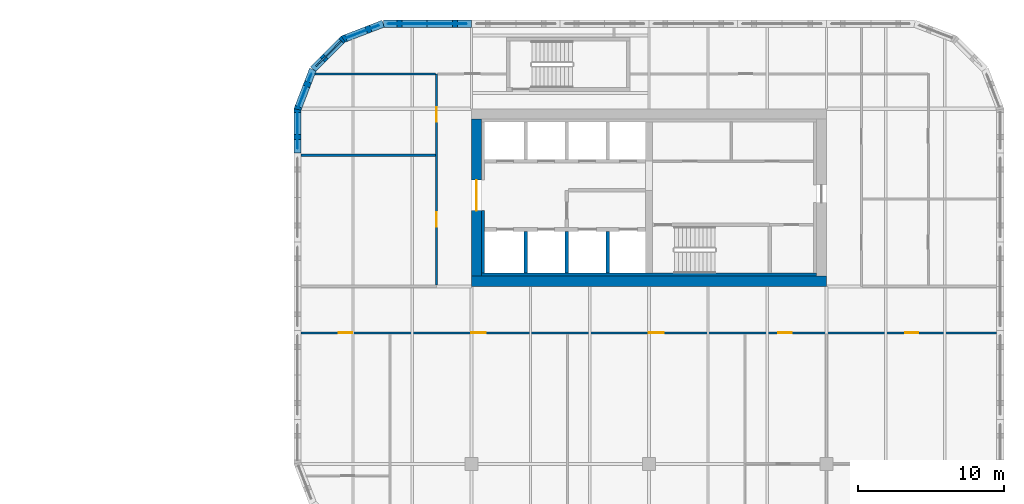
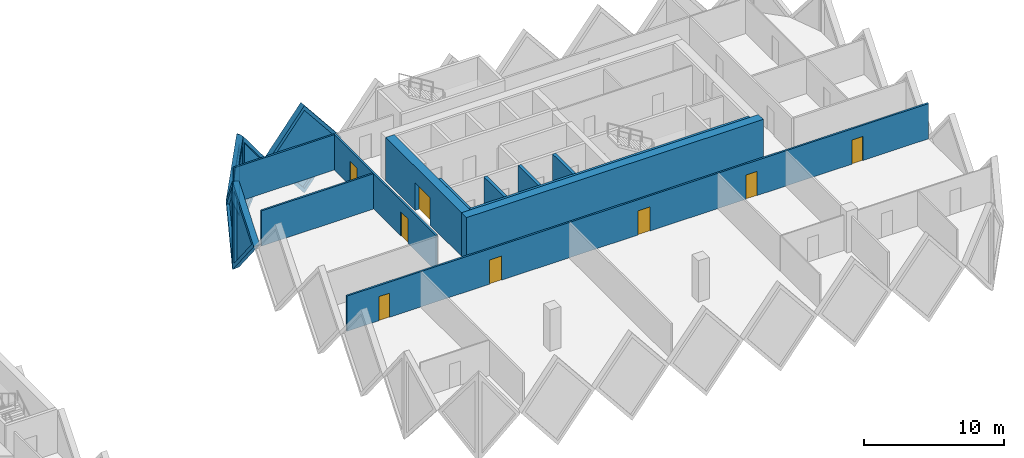
# One storey, part 12 of 18: 16 walls, 8 doors, 5 plates, 13 openings.
"""IFC4 building model written with IfcOpenShell, lengths in metres."""

from ifc_helpers import new_model, si_unit, direction, frame, frame_2d, origin, place, context, subcontext, project, spatial, polyline, rectangle, outline, extrude, faceted_brep, source, transform, mapped, material, layer, layer_set, type_object, element, fill, save


model = new_model("IFC4")

# Units and contexts
model_context = context("Model", 3, precision=1e-05, world=origin(), true_north=direction((0.0, 1.0)))
body_context = subcontext(model_context, "Body", "Model", "MODEL_VIEW")
ifc_project = project(units=[si_unit("LENGTHUNIT", "METRE"), si_unit("AREAUNIT", "SQUARE_METRE"), si_unit("VOLUMEUNIT", "CUBIC_METRE"), si_unit("PLANEANGLEUNIT", "RADIAN"), si_unit("MASSUNIT", "GRAM", prefix="KILO")], contexts=[model_context])

# Site, building, storey
site_placement = place(None, origin())
site = spatial("IfcSite", under=ifc_project, at=site_placement, CompositionType="ELEMENT")
building_placement = place(site_placement, origin())
building = spatial("IfcBuilding", under=site, at=building_placement, Name="Tessera Gate Towers", CompositionType="ELEMENT")
storey_placement = place(building_placement, frame((0.0, 0.0, 44.800048828125)))
storey = spatial("IfcBuildingStorey", under=building, at=storey_placement, Name="L10", CompositionType="ELEMENT", Elevation=44.800048828125)

# Walls
ifc_material_1 = material(Name="Concrete C40/50", Category="concrete")
ifc_layer_1 = layer(ifc_material_1, 0.25)
ifc_layer_set_1 = layer_set([ifc_layer_1], Name="CORE ENCLOSURE WALL 250")
wall_type_1 = type_object("IfcWallType", Name="CORE ENCLOSURE WALL 250", PredefinedType="SOLIDWALL", material=ifc_layer_set_1)
for number, where, z_axis, x_axis, name in (
    (1, (104.14990234375, 37.5, 0.0), (0.0, 0.0, 1.0), (0.0, 1.0, 0.0), "L10 shaft and stair enclosure wall"),
    (2, (101.324951171875, 37.5, 0.0), (0.0, 0.0, 1.0), (0.0, 1.0, 0.0), "L10 shaft and stair enclosure wall"),
    (3, (106.97509765625, 37.5, 0.0), (0.0, 0.0, 1.0), (0.0, 1.0, 0.0), "L10 shaft and stair enclosure wall"),
):
    element("IfcWall", number, at=place(storey_placement, frame(where, z_axis=z_axis, x_axis=x_axis)), inside=storey, type_object=wall_type_1, Name=name, PredefinedType="SOLIDWALL", context=body_context, shape_type="SweptSolid", body=[
        extrude(rectangle(XDim=2.875, YDim=0.25, at=frame_2d((1.4375, 0.0))), origin(), (0.0, 0.0, 1.0), 3.800048828125),
    ])
ifc_material_2 = material(Name="Concrete C60/75", Category="concrete")
ifc_layer_2 = layer(ifc_material_2, 0.699951171875)
ifc_layer_set_2 = layer_set([ifc_layer_2], Name="CORE SHEAR WALL 700 C60/75")
wall_type_2 = type_object("IfcWallType", Name="CORE SHEAR WALL 700 C60/75", PredefinedType="SHEAR", material=ifc_layer_set_2)
wall_1_placement = place(storey_placement, frame((122.0, 36.949951171875, 0.0), z_axis=(0.0, 0.0, 1.0), x_axis=(-1.0, 0.0, 0.0)))
element("IfcWall", 4, at=wall_1_placement, inside=storey, type_object=wall_type_2, Name="Core wall S L10", PredefinedType="SHEAR", context=body_context, shape_type="SweptSolid", body=[
    extrude(rectangle(XDim=24.39990234375, YDim=0.699951171875, at=frame_2d((12.199951171875, 0.0))), origin(), (0.0, 0.0, 1.0), 3.800048828125),
])

# Wall, opening, door
wall_2_placement = place(storey_placement, frame((97.949951171875, 37.300048828125, 0.0), z_axis=(0.0, 0.0, 1.0), x_axis=(0.0, 1.0, 0.0)))
wall_2 = element("IfcWall", 5, at=wall_2_placement, inside=storey, type_object=wall_type_2, Name="Core wall W L10", PredefinedType="SHEAR", context=body_context, shape_type="SweptSolid", body=[
    extrude(rectangle(XDim=10.800048828125, YDim=0.699951171875, at=frame_2d((5.39990234375, 0.0))), origin(), (0.0, 0.0, 1.0), 3.800048828125),
])
shared_shape_1 = source(origin(), body_context, "Body", "SweptSolid", [
    extrude(rectangle(XDim=2.10009765625, YDim=2.39990234375, at=frame_2d((1.050048828125, 1.199951171875))), frame((0.0, 0.35986328125, 0.0), z_axis=(0.0, -1.0, 0.0), x_axis=(1.0, 0.0, 0.0)), (0.0, 0.0, 1.0), 0.719970703125),
])
opening_1_placement = place(wall_2_placement, frame((4.5, 0.0, 0.0)))
opening_1 = element("IfcOpeningElement", 6, at=opening_1_placement, cuts=wall_2, Name="Opening DD-T2-04-01", PredefinedType="OPENING", context=body_context, shape_type="MappedRepresentation", body=[
    mapped(shared_shape_1, transform((0.0, 0.0, 0.0), scale=1.0)),
])
ifc_material_3 = material(Name="Hollow steel fire door", Category="steel")
door_type_1 = type_object("IfcDoorType", Name="CORE DOOR DD 2100x2400", OperationType="NOTDEFINED", PredefinedType="DOOR", material=ifc_material_3)
shared_shape_2 = source(origin(), body_context, "Body", "SweptSolid", [
    extrude(rectangle(XDim=2.10009765625, YDim=2.39990234375, at=frame_2d((1.050048828125, 1.199951171875))), frame((0.0, 0.02490234375, 0.0), z_axis=(0.0, -1.0, 0.0), x_axis=(1.0, 0.0, 0.0)), (0.0, 0.0, 1.0), 0.050048828125),
])
door_1_placement = place(opening_1_placement, origin())
door_1 = element("IfcDoor", 7, at=door_1_placement, inside=storey, type_object=door_type_1, Name="Core entrance door", OperationType="DOUBLE_DOOR_SINGLE_SWING", OverallHeight=2.39990234375, OverallWidth=2.10009765625, PredefinedType="DOOR", context=body_context, shape_type="MappedRepresentation", body=[
    mapped(shared_shape_2, transform((0.0, 0.0, 0.0), scale=1.0)),
])
fill(opening_1, door_1)

# Walls
ifc_material_4 = material(Name="Concrete C60/75", Category="concrete")
ifc_layer_3 = layer(ifc_material_4, 0.199951171875)
ifc_layer_set_3 = layer_set([ifc_layer_3], Name="CORE WALL THICKENING 200")
wall_type_3 = type_object("IfcWallType", Name="CORE WALL THICKENING 200", PredefinedType="SOLIDWALL", material=ifc_layer_set_3)
wall_3_placement = place(storey_placement, frame((98.300048828125, 37.39990234375, 0.0), z_axis=(0.0, 0.0, 1.0), x_axis=(1.0, 0.0, 0.0)))
element("IfcWall", 8, at=wall_3_placement, inside=storey, type_object=wall_type_3, Name="Core wall thickening S L10", PredefinedType="SOLIDWALL", context=body_context, shape_type="SweptSolid", body=[
    extrude(rectangle(XDim=23.0, YDim=0.199951171875, at=frame_2d((11.5, 0.0))), origin(), (0.0, 0.0, 1.0), 3.800048828125),
])
wall_4_placement = place(storey_placement, frame((98.39990234375, 37.5, 0.0), z_axis=(0.0, 0.0, 1.0), x_axis=(0.0, 1.0, 0.0)))
element("IfcWall", 9, at=wall_4_placement, inside=storey, type_object=wall_type_3, Name="Core wall thickening W L10", PredefinedType="SOLIDWALL", context=body_context, shape_type="SweptSolid", body=[
    extrude(rectangle(XDim=4.300048828125, YDim=0.199951171875, at=frame_2d((2.14990234375, 0.0))), origin(), (0.0, 0.0, 1.0), 3.800048828125),
])

# Wall, openings, doors
ifc_material_5 = material(Name="Gypsum board on steel studs, mineral wool", Category="steel")
ifc_layer_4 = layer(ifc_material_5, 0.14990234375)
ifc_layer_set_4 = layer_set([ifc_layer_4], Name="CORRIDOR WALL 150")
wall_type_4 = type_object("IfcWallType", Name="CORRIDOR WALL 150", PredefinedType="PARTITIONING", material=ifc_layer_set_4)
wall_5_placement = place(storey_placement, frame((133.699951171875, 33.39990234375, 0.0), z_axis=(0.0, 0.0, 1.0), x_axis=(-1.0, 0.0, 0.0)))
wall_5 = element("IfcWall", 10, at=wall_5_placement, inside=storey, type_object=wall_type_4, Name="T2-L10-PW-011", PredefinedType="PARTITIONING", context=body_context, shape_type="SweptSolid", body=[
    extrude(rectangle(XDim=47.800048828125, YDim=0.14990234375, at=frame_2d((23.89990234375, 0.0))), origin(), (0.0, 0.0, 1.0), 3.06689453125),
])
shared_shape_3 = source(origin(), body_context, "Body", "SweptSolid", [
    extrude(rectangle(XDim=0.89990234375, YDim=2.10009765625, at=frame_2d((0.449951171875, 1.050048828125))), frame((0.0, 0.0849609375, 0.0), z_axis=(0.0, -1.0, 0.0), x_axis=(1.0, 0.0, 0.0)), (0.0, 0.0, 1.0), 0.169921875),
])
opening_2_placement = place(wall_5_placement, frame((14.09912109375, 0.0, 0.0)))
opening_2 = element("IfcOpeningElement", 11, at=opening_2_placement, cuts=wall_5, Name="Opening D890FD60-B04-01", PredefinedType="OPENING", context=body_context, shape_type="MappedRepresentation", body=[
    mapped(shared_shape_3, transform((0.0, 0.0, 0.0), scale=1.0)),
])
opening_3_placement = place(wall_5_placement, frame((44.300048828125, 0.0, 0.0)))
opening_3 = element("IfcOpeningElement", 12, at=opening_3_placement, cuts=wall_5, Name="Opening D890FD60-B04-02", PredefinedType="OPENING", context=body_context, shape_type="MappedRepresentation", body=[
    mapped(shared_shape_3, transform((0.0, 0.0, 0.0), scale=1.0)),
])
opening_4_placement = place(wall_5_placement, frame((5.39990234375, 0.0, 0.0)))
opening_4 = element("IfcOpeningElement", 13, at=opening_4_placement, cuts=wall_5, Name="Opening D890FD60-B04-03", PredefinedType="OPENING", context=body_context, shape_type="MappedRepresentation", body=[
    mapped(shared_shape_3, transform((0.0, 0.0, 0.0), scale=1.0)),
])
shared_shape_4 = source(origin(), body_context, "Body", "SweptSolid", [
    extrude(rectangle(XDim=1.0, YDim=2.10009765625, at=frame_2d((0.5, 1.050048828125))), frame((0.0, 0.0849609375, 0.0), z_axis=(0.0, -1.0, 0.0), x_axis=(1.0, 0.0, 0.0)), (0.0, 0.0, 1.0), 0.169921875),
])
opening_5_placement = place(wall_5_placement, frame((22.89892578125, 0.0, 0.0)))
opening_5 = element("IfcOpeningElement", 14, at=opening_5_placement, cuts=wall_5, Name="Opening D2100FD60-B04-05", PredefinedType="OPENING", context=body_context, shape_type="MappedRepresentation", body=[
    mapped(shared_shape_4, transform((0.0, 0.0, 0.0), scale=1.0)),
])
opening_6_placement = place(wall_5_placement, frame((35.10009765625, 0.0, 0.0)))
opening_6 = element("IfcOpeningElement", 15, at=opening_6_placement, cuts=wall_5, Name="Opening D2100FD60-B04-06", PredefinedType="OPENING", context=body_context, shape_type="MappedRepresentation", body=[
    mapped(shared_shape_4, transform((0.0, 0.0, 0.0), scale=1.0)),
])
ifc_material_6 = material(Name="Timber door leaf in steel frame", Category="steel")
door_type_2 = type_object("IfcDoorType", Name="CORRIDOR DOOR 900 FD60", OperationType="NOTDEFINED", PredefinedType="DOOR", material=ifc_material_6)
shared_shape_5 = source(origin(), body_context, "Body", "SweptSolid", [
    extrude(rectangle(XDim=0.89990234375, YDim=2.10009765625, at=frame_2d((0.449951171875, 1.050048828125))), frame((0.0, 0.02490234375, 0.0), z_axis=(0.0, -1.0, 0.0), x_axis=(1.0, 0.0, 0.0)), (0.0, 0.0, 1.0), 0.050048828125),
])
door_2_placement = place(opening_2_placement, origin())
door_2 = element("IfcDoor", 16, at=door_2_placement, inside=storey, type_object=door_type_2, Name="T2-L10-PD-004", OperationType="SINGLE_SWING_RIGHT", OverallHeight=2.10009765625, OverallWidth=0.89990234375, PredefinedType="DOOR", context=body_context, shape_type="MappedRepresentation", body=[
    mapped(shared_shape_5, transform((0.0, 0.0, 0.0), scale=1.0)),
])
fill(opening_2, door_2)
door_3_placement = place(opening_3_placement, origin())
door_3 = element("IfcDoor", 17, at=door_3_placement, inside=storey, type_object=door_type_2, Name="T2-L10-PD-009", OperationType="SINGLE_SWING_RIGHT", OverallHeight=2.10009765625, OverallWidth=0.89990234375, PredefinedType="DOOR", context=body_context, shape_type="MappedRepresentation", body=[
    mapped(shared_shape_5, transform((0.0, 0.0, 0.0), scale=1.0)),
])
fill(opening_3, door_3)
door_4_placement = place(opening_4_placement, origin())
door_4 = element("IfcDoor", 18, at=door_4_placement, inside=storey, type_object=door_type_2, Name="T2-L10-PD-012", OperationType="SINGLE_SWING_RIGHT", OverallHeight=2.10009765625, OverallWidth=0.89990234375, PredefinedType="DOOR", context=body_context, shape_type="MappedRepresentation", body=[
    mapped(shared_shape_5, transform((0.0, 0.0, 0.0), scale=1.0)),
])
fill(opening_4, door_4)
ifc_material_7 = material(Name="Timber door leaf in steel frame", Category="steel")
door_type_3 = type_object("IfcDoorType", Name="TENANCY ENTRANCE DOOR 1000 FD60", OperationType="NOTDEFINED", PredefinedType="DOOR", material=ifc_material_7)
shared_shape_6 = source(origin(), body_context, "Body", "SweptSolid", [
    extrude(rectangle(XDim=1.0, YDim=2.10009765625, at=frame_2d((0.5, 1.050048828125))), frame((0.0, 0.02490234375, 0.0), z_axis=(0.0, -1.0, 0.0), x_axis=(1.0, 0.0, 0.0)), (0.0, 0.0, 1.0), 0.050048828125),
])
door_5_placement = place(opening_5_placement, origin())
door_5 = element("IfcDoor", 19, at=door_5_placement, inside=storey, type_object=door_type_3, Name="T2-L10-PD-013", OperationType="SINGLE_SWING_RIGHT", OverallHeight=2.10009765625, OverallWidth=1.0, PredefinedType="DOOR", context=body_context, shape_type="MappedRepresentation", body=[
    mapped(shared_shape_6, transform((0.0, 0.0, 0.0), scale=1.0)),
])
fill(opening_5, door_5)
door_6_placement = place(opening_6_placement, origin())
door_6 = element("IfcDoor", 20, at=door_6_placement, inside=storey, type_object=door_type_3, Name="T2-L10-PD-014", OperationType="SINGLE_SWING_RIGHT", OverallHeight=2.10009765625, OverallWidth=1.0, PredefinedType="DOOR", context=body_context, shape_type="MappedRepresentation", body=[
    mapped(shared_shape_6, transform((0.0, 0.0, 0.0), scale=1.0)),
])
fill(opening_6, door_6)

wall_6_placement = place(storey_placement, frame((95.199951171875, 36.676025390625, 0.0), z_axis=(0.0, 0.0, 1.0), x_axis=(0.0, 1.0, 0.0)))
wall_6 = element("IfcWall", 21, at=wall_6_placement, inside=storey, type_object=wall_type_4, Name="T2-L10-PW-015", PredefinedType="PARTITIONING", context=body_context, shape_type="SweptSolid", body=[
    extrude(rectangle(XDim=14.52392578125, YDim=0.14990234375, at=frame_2d((7.261962890625, 0.0))), origin(), (0.0, 0.0, 1.0), 3.06689453125),
])
opening_7_placement = place(wall_6_placement, frame((11.22509765625, 0.0, 0.0)))
opening_7 = element("IfcOpeningElement", 22, at=opening_7_placement, cuts=wall_6, Name="Opening D2100FD60-B04-02", PredefinedType="OPENING", context=body_context, shape_type="MappedRepresentation", body=[
    mapped(shared_shape_4, transform((0.0, 0.0, 0.0), scale=1.0)),
])
opening_8_placement = place(wall_6_placement, frame((4.0, 0.0, 0.0)))
opening_8 = element("IfcOpeningElement", 23, at=opening_8_placement, cuts=wall_6, Name="Opening D2100FD60-B04-07", PredefinedType="OPENING", context=body_context, shape_type="MappedRepresentation", body=[
    mapped(shared_shape_4, transform((0.0, 0.0, 0.0), scale=1.0)),
])
door_7_placement = place(opening_7_placement, origin())
door_7 = element("IfcDoor", 24, at=door_7_placement, inside=storey, type_object=door_type_3, Name="T2-L10-PD-005", OperationType="SINGLE_SWING_LEFT", OverallHeight=2.10009765625, OverallWidth=1.0, PredefinedType="DOOR", context=body_context, shape_type="MappedRepresentation", body=[
    mapped(shared_shape_6, transform((0.0, 0.0, 0.0), scale=1.0)),
])
fill(opening_7, door_7)
door_8_placement = place(opening_8_placement, origin())
door_8 = element("IfcDoor", 25, at=door_8_placement, inside=storey, type_object=door_type_3, Name="T2-L10-PD-017", OperationType="SINGLE_SWING_LEFT", OverallHeight=2.10009765625, OverallWidth=1.0, PredefinedType="DOOR", context=body_context, shape_type="MappedRepresentation", body=[
    mapped(shared_shape_6, transform((0.0, 0.0, 0.0), scale=1.0)),
])
fill(opening_8, door_8)

# Walls
ifc_material_8 = material(Name="Gypsum board on steel studs, mineral wool", Category="steel")
ifc_layer_5 = layer(ifc_material_8, 0.14990234375)
ifc_layer_set_5 = layer_set([ifc_layer_5], Name="TENANCY WALL 150")
wall_type_5 = type_object("IfcWallType", Name="TENANCY WALL 150", PredefinedType="PARTITIONING", material=ifc_layer_set_5)
wall_7_placement = place(storey_placement, frame((85.89990234375, 45.60009765625, 0.0), z_axis=(0.0, 0.0, 1.0), x_axis=(1.0, 0.0, 0.0)))
element("IfcWall", 26, at=wall_7_placement, inside=storey, type_object=wall_type_5, Name="T2-L10-PW-019", PredefinedType="PARTITIONING", context=body_context, shape_type="SweptSolid", body=[
    extrude(rectangle(XDim=9.22412109375, YDim=0.14990234375, at=frame_2d((4.612060546875, 0.0))), origin(), (0.0, 0.0, 1.0), 3.06689453125),
])
wall_8_placement = place(storey_placement, frame((86.86181640625, 51.199951171875, 0.0), z_axis=(0.0, 0.0, 1.0), x_axis=(1.0, 0.0, 0.0)))
element("IfcWall", 27, at=wall_8_placement, inside=storey, type_object=wall_type_5, Name="T2-L10-PW-020", PredefinedType="PARTITIONING", context=body_context, shape_type="SweptSolid", body=[
    extrude(rectangle(XDim=8.26220703125, YDim=0.14990234375, at=frame_2d((4.131103515625, 0.0))), origin(), (0.0, 0.0, 1.0), 3.06689453125),
])

# Wall, opening, plate
ifc_material_9 = material(Name="Precast concrete C60/75 white", Category="concrete")
ifc_layer_6 = layer(ifc_material_9, 0.5)
ifc_layer_set_6 = layer_set([ifc_layer_6], Name="TS1 tessera")
wall_type_6 = type_object("IfcWallType", Name="TS1 tessera", PredefinedType="SOLIDWALL", material=ifc_layer_set_6)
shared_shape_7 = source(origin(), body_context, "Body", "Brep", [
    faceted_brep([(3.050048828125, -0.25, 0.0), (6.053466796875, -0.25, 3.800048828125), (3.050048828125, -0.25, 7.60009765625), (0.0, -0.25, 3.800048828125), (0.0, 0.25, 3.800048828125), (3.050048828125, 0.25, 7.60009765625), (6.0068359375, 0.25, 3.85888671875), (6.0068359375, 0.25, 3.7412109375), (3.050048828125, 0.25, 0.0), (6.053466796875, 0.0, 3.800048828125)], [[[0, 1, 2, 3]], [[4, 5, 6, 7, 8]], [[8, 7, 9, 1, 0]], [[6, 5, 2, 1, 9]], [[5, 4, 3, 2]], [[4, 8, 0, 3]], [[9, 7, 6]]]),
])
wall_9_placement = place(storey_placement, frame((97.60009765625, 54.64990234375, -3.800048828125), z_axis=(0.0, 0.0, 1.0), x_axis=(-1.0, 0.0, 0.0)))
wall_9 = element("IfcWall", 28, at=wall_9_placement, inside=storey, type_object=wall_type_6, Name="Precast tessera T2 TS1-0104", PredefinedType="SOLIDWALL", context=body_context, shape_type="MappedRepresentation", body=[
    mapped(shared_shape_7, transform((0.0, 0.0, 0.0), scale=1.0)),
])
shared_shape_8 = source(origin(), body_context, "Body", "SweptSolid", [
    extrude(outline(polyline([(3.048583984375, 0.4013671875), (5.73486328125, 3.800048828125), (3.048583984375, 7.19873046875), (0.320556640625, 3.800048828125), (3.048583984375, 0.4013671875)])), frame((0.0, 0.260009765625, 0.0), z_axis=(0.0, -1.0, 0.0), x_axis=(1.0, 0.0, 0.0)), (0.0, 0.0, 1.0), 0.52001953125),
])
opening_9_placement = place(wall_9_placement, origin())
opening_9 = element("IfcOpeningElement", 29, at=opening_9_placement, cuts=wall_9, Name="Opening T2-PL2-0192", PredefinedType="OPENING", context=body_context, shape_type="MappedRepresentation", body=[
    mapped(shared_shape_8, transform((0.0, 0.0, 0.0), scale=1.0)),
])
ifc_material_10 = material(Name="Low-e laminated glass", Category="glass")
ifc_layer_7 = layer(ifc_material_10, 0.06005859375)
ifc_layer_set_7 = layer_set([ifc_layer_7], Name="PL2 rhombic pane")
plate_type = type_object("IfcPlateType", Name="PL2 rhombic pane", PredefinedType="SHEET", material=ifc_layer_set_7)
shared_shape_9 = source(origin(), body_context, "Body", "SweptSolid", [
    extrude(outline(polyline([(3.048583984375, 0.4013671875), (5.73486328125, 3.800048828125), (3.048583984375, 7.19873046875), (0.320556640625, 3.800048828125), (3.048583984375, 0.4013671875)])), frame((0.0, 0.030029296875, 0.0), z_axis=(0.0, -1.0, 0.0), x_axis=(1.0, 0.0, 0.0)), (0.0, 0.0, 1.0), 0.06005859375),
])
plate_1_placement = place(opening_9_placement, origin())
plate_1 = element("IfcPlate", 30, at=plate_1_placement, inside=storey, type_object=plate_type, Name="Glass pane T2 PL2-0192", PredefinedType="SHEET", context=body_context, shape_type="MappedRepresentation", body=[
    mapped(shared_shape_9, transform((0.0, 0.0, 0.0), scale=1.0)),
])
fill(opening_9, plate_1)

ifc_material_11 = material(Name="Precast concrete C60/75 white", Category="concrete")
ifc_layer_8 = layer(ifc_material_11, 0.5)
ifc_layer_set_8 = layer_set([ifc_layer_8], Name="TS3 corner tessera")
wall_type_7 = type_object("IfcWallType", Name="TS3 corner tessera", PredefinedType="SOLIDWALL", material=ifc_layer_set_8)
shared_shape_10 = source(origin(), body_context, "Body", "Brep", [
    faceted_brep([(2.950439453125, -0.25, 0.0), (3.00341796875, -0.25, 0.068359375), (3.00341796875, -0.25, 7.53173828125), (2.950439453125, -0.25, 7.60009765625), (0.0, -0.25, 3.800048828125), (0.046630859375, 0.25, 3.860107421875), (2.897705078125, 0.25, 7.531982421875), (2.897705078125, 0.25, 0.068115234375), (0.046630859375, 0.25, 3.739990234375), (2.950439453125, 0.00048828125, 0.0), (2.950439453125, 0.00048828125, 7.60009765625), (0.0, 0.0, 3.800048828125)], [[[0, 1, 2, 3, 4]], [[5, 6, 7, 8]], [[1, 0, 9]], [[10, 3, 2]], [[6, 5, 11, 4, 3, 10]], [[8, 7, 9, 0, 4, 11]], [[8, 11, 5]], [[1, 9, 7, 6, 10, 2]]]),
])
wall_10_placement = place(storey_placement, frame((91.546630859375, 54.64990234375, -3.800048828125), z_axis=(0.0, 0.0, 1.0), x_axis=(-0.933007896601, -0.359855894603, 0.0)))
wall_10 = element("IfcWall", 31, at=wall_10_placement, inside=storey, type_object=wall_type_7, Name="Precast corner tessera T2 TS3-0137", PredefinedType="SOLIDWALL", context=body_context, shape_type="MappedRepresentation", body=[
    mapped(shared_shape_10, transform((0.0, 0.0, 0.0), scale=1.0)),
])
shared_shape_11 = source(origin(), body_context, "Body", "SweptSolid", [
    extrude(outline(polyline([(2.75048828125, 6.934814453125), (0.31640625, 3.800048828125), (2.75048828125, 0.665283203125), (2.75048828125, 6.934814453125)])), frame((0.0, 0.260009765625, 0.0), z_axis=(0.0, -1.0, 0.0), x_axis=(1.0, 0.0, 0.0)), (0.0, 0.0, 1.0), 0.52001953125),
])
opening_10_placement = place(wall_10_placement, origin())
opening_10 = element("IfcOpeningElement", 32, at=opening_10_placement, cuts=wall_10, Name="Opening T2-PL2-0193", PredefinedType="OPENING", context=body_context, shape_type="MappedRepresentation", body=[
    mapped(shared_shape_11, transform((0.0, 0.0, 0.0), scale=1.0)),
])
shared_shape_12 = source(origin(), body_context, "Body", "SweptSolid", [
    extrude(outline(polyline([(2.75048828125, 6.934814453125), (0.31640625, 3.800048828125), (2.75048828125, 0.665283203125), (2.75048828125, 6.934814453125)])), frame((0.0, 0.030029296875, 0.0), z_axis=(0.0, -1.0, 0.0), x_axis=(1.0, 0.0, 0.0)), (0.0, 0.0, 1.0), 0.06005859375),
])
plate_2_placement = place(opening_10_placement, origin())
plate_2 = element("IfcPlate", 33, at=plate_2_placement, inside=storey, type_object=plate_type, Name="Glass pane T2 PL2-0193", PredefinedType="SHEET", context=body_context, shape_type="MappedRepresentation", body=[
    mapped(shared_shape_12, transform((0.0, 0.0, 0.0), scale=1.0)),
])
fill(opening_10, plate_2)

shared_shape_13 = source(origin(), body_context, "Body", "Brep", [
    faceted_brep([(0.052978515625, -0.25, 0.0), (2.9970703125, -0.25, 3.800048828125), (0.052978515625, -0.25, 7.60009765625), (0.0, -0.25, 7.531982421875), (0.0, -0.25, 0.068115234375), (0.10595703125, 0.25, 7.53173828125), (2.944091796875, 0.25, 3.8681640625), (2.944091796875, 0.25, 3.73193359375), (0.10595703125, 0.25, 0.068359375), (2.9970703125, 0.000244140625, 3.800048828125), (0.052978515625, 0.0, 0.0), (0.052978515625, 0.0, 7.60009765625)], [[[0, 1, 2, 3, 4]], [[5, 6, 7, 8]], [[8, 7, 9, 1, 0, 10]], [[6, 5, 11, 2, 1, 9]], [[3, 2, 11]], [[10, 0, 4]], [[8, 10, 4, 3, 11, 5]], [[9, 7, 6]]]),
])
wall_11_placement = place(storey_placement, frame((88.831298828125, 53.62548828125, -3.800048828125), z_axis=(0.0, 0.0, 1.0), x_axis=(-0.707147509625, -0.707066050402, 0.0)))
wall_11 = element("IfcWall", 34, at=wall_11_placement, inside=storey, type_object=wall_type_7, Name="Precast corner tessera T2 TS3-0138", PredefinedType="SOLIDWALL", context=body_context, shape_type="MappedRepresentation", body=[
    mapped(shared_shape_13, transform((0.0, 0.0, 0.0), scale=1.0)),
])
shared_shape_14 = source(origin(), body_context, "Body", "SweptSolid", [
    extrude(outline(polyline([(0.2529296875, 0.666259765625), (2.680908203125, 3.800048828125), (0.2529296875, 6.93359375), (0.2529296875, 0.666259765625)])), frame((0.0, 0.260009765625, 0.0), z_axis=(0.0, -1.0, 0.0), x_axis=(1.0, 0.0, 0.0)), (0.0, 0.0, 1.0), 0.52001953125),
])
opening_11_placement = place(wall_11_placement, origin())
opening_11 = element("IfcOpeningElement", 35, at=opening_11_placement, cuts=wall_11, Name="Opening T2-PL2-0194", PredefinedType="OPENING", context=body_context, shape_type="MappedRepresentation", body=[
    mapped(shared_shape_14, transform((0.0, 0.0, 0.0), scale=1.0)),
])
shared_shape_15 = source(origin(), body_context, "Body", "SweptSolid", [
    extrude(outline(polyline([(0.2529296875, 0.666259765625), (2.680908203125, 3.800048828125), (0.2529296875, 6.93359375), (0.2529296875, 0.666259765625)])), frame((0.0, 0.030029296875, 0.0), z_axis=(0.0, -1.0, 0.0), x_axis=(1.0, 0.0, 0.0)), (0.0, 0.0, 1.0), 0.06005859375),
])
plate_3_placement = place(opening_11_placement, origin())
plate_3 = element("IfcPlate", 36, at=plate_3_placement, inside=storey, type_object=plate_type, Name="Glass pane T2 PL2-0194", PredefinedType="SHEET", context=body_context, shape_type="MappedRepresentation", body=[
    mapped(shared_shape_15, transform((0.0, 0.0, 0.0), scale=1.0)),
])
fill(opening_11, plate_3)

shared_shape_16 = source(origin(), body_context, "Body", "Brep", [
    faceted_brep([(0.046630859375, -0.25, 0.0), (3.050048828125, -0.25, 3.800048828125), (0.046630859375, -0.25, 7.60009765625), (0.0, -0.25, 7.5400390625), (0.0, -0.25, 0.06005859375), (0.09326171875, 0.25, 7.541259765625), (3.050048828125, 0.25, 3.800048828125), (0.09326171875, 0.25, 0.058837890625), (0.046630859375, 0.0, 0.0), (0.046630859375, 0.0, 7.60009765625)], [[[0, 1, 2, 3, 4]], [[5, 6, 7]], [[7, 6, 1, 0, 8]], [[6, 5, 9, 2, 1]], [[3, 2, 9]], [[8, 0, 4]], [[7, 8, 4, 3, 9, 5]]]),
])
wall_12_placement = place(storey_placement, frame((85.64990234375, 48.800048828125, -3.800048828125), z_axis=(0.0, 0.0, 1.0), x_axis=(0.0, -1.0, 0.0)))
wall_12 = element("IfcWall", 37, at=wall_12_placement, inside=storey, type_object=wall_type_7, Name="Precast corner tessera T2 TS3-0140", PredefinedType="SOLIDWALL", context=body_context, shape_type="MappedRepresentation", body=[
    mapped(shared_shape_16, transform((0.0, 0.0, 0.0), scale=1.0)),
])
shared_shape_17 = source(origin(), body_context, "Body", "SweptSolid", [
    extrude(outline(polyline([(0.24658203125, 0.65625), (2.7314453125, 3.800048828125), (0.24658203125, 6.94384765625), (0.24658203125, 0.65625)])), frame((0.0, 0.260009765625, 0.0), z_axis=(0.0, -1.0, 0.0), x_axis=(1.0, 0.0, 0.0)), (0.0, 0.0, 1.0), 0.52001953125),
])
opening_12_placement = place(wall_12_placement, origin())
opening_12 = element("IfcOpeningElement", 38, at=opening_12_placement, cuts=wall_12, Name="Opening T2-PL2-0196", PredefinedType="OPENING", context=body_context, shape_type="MappedRepresentation", body=[
    mapped(shared_shape_17, transform((0.0, 0.0, 0.0), scale=1.0)),
])
shared_shape_18 = source(origin(), body_context, "Body", "SweptSolid", [
    extrude(outline(polyline([(0.24658203125, 0.65625), (2.7314453125, 3.800048828125), (0.24658203125, 6.94384765625), (0.24658203125, 0.65625)])), frame((0.0, 0.030029296875, 0.0), z_axis=(0.0, -1.0, 0.0), x_axis=(1.0, 0.0, 0.0)), (0.0, 0.0, 1.0), 0.06005859375),
])
plate_4_placement = place(opening_12_placement, origin())
plate_4 = element("IfcPlate", 39, at=plate_4_placement, inside=storey, type_object=plate_type, Name="Glass pane T2 PL2-0196", PredefinedType="SHEET", context=body_context, shape_type="MappedRepresentation", body=[
    mapped(shared_shape_18, transform((0.0, 0.0, 0.0), scale=1.0)),
])
fill(opening_12, plate_4)

shared_shape_19 = source(origin(), body_context, "Body", "Brep", [
    faceted_brep([(2.950439453125, -0.25, 0.0), (2.9970703125, -0.25, 0.05908203125), (2.9970703125, -0.25, 7.541015625), (2.950439453125, -0.25, 7.60009765625), (0.0, -0.25, 3.800048828125), (0.052978515625, 0.25, 3.8681640625), (2.904052734375, 0.25, 7.540283203125), (2.904052734375, 0.25, 0.059814453125), (0.052978515625, 0.25, 3.73193359375), (2.950439453125, 0.00048828125, 0.0), (2.950439453125, 0.00048828125, 7.60009765625), (0.0, 0.0, 3.800048828125)], [[[0, 1, 2, 3, 4]], [[5, 6, 7, 8]], [[1, 0, 9]], [[10, 3, 2]], [[6, 5, 11, 4, 3, 10]], [[8, 7, 9, 0, 4, 11]], [[8, 11, 5]], [[1, 9, 7, 6, 10, 2]]]),
])
wall_13_placement = place(storey_placement, frame((86.7119140625, 51.50634765625, -3.800048828125), z_axis=(0.0, 0.0, 1.0), x_axis=(-0.359874094142, -0.933000876937, 0.0)))
wall_13 = element("IfcWall", 40, at=wall_13_placement, inside=storey, type_object=wall_type_7, Name="Precast corner tessera T2 TS3-0139", PredefinedType="SOLIDWALL", context=body_context, shape_type="MappedRepresentation", body=[
    mapped(shared_shape_19, transform((0.0, 0.0, 0.0), scale=1.0)),
])
opening_13_placement = place(wall_13_placement, origin())
opening_13 = element("IfcOpeningElement", 41, at=opening_13_placement, cuts=wall_13, Name="Opening T2-PL2-0195", PredefinedType="OPENING", context=body_context, shape_type="MappedRepresentation", body=[
    mapped(shared_shape_11, transform((0.0, 0.0, 0.0), scale=1.0)),
])
plate_5_placement = place(opening_13_placement, origin())
plate_5 = element("IfcPlate", 42, at=plate_5_placement, inside=storey, type_object=plate_type, Name="Glass pane T2 PL2-0195", PredefinedType="SHEET", context=body_context, shape_type="MappedRepresentation", body=[
    mapped(shared_shape_12, transform((0.0, 0.0, 0.0), scale=1.0)),
])
fill(opening_13, plate_5)

save(model, "model.ifc")
